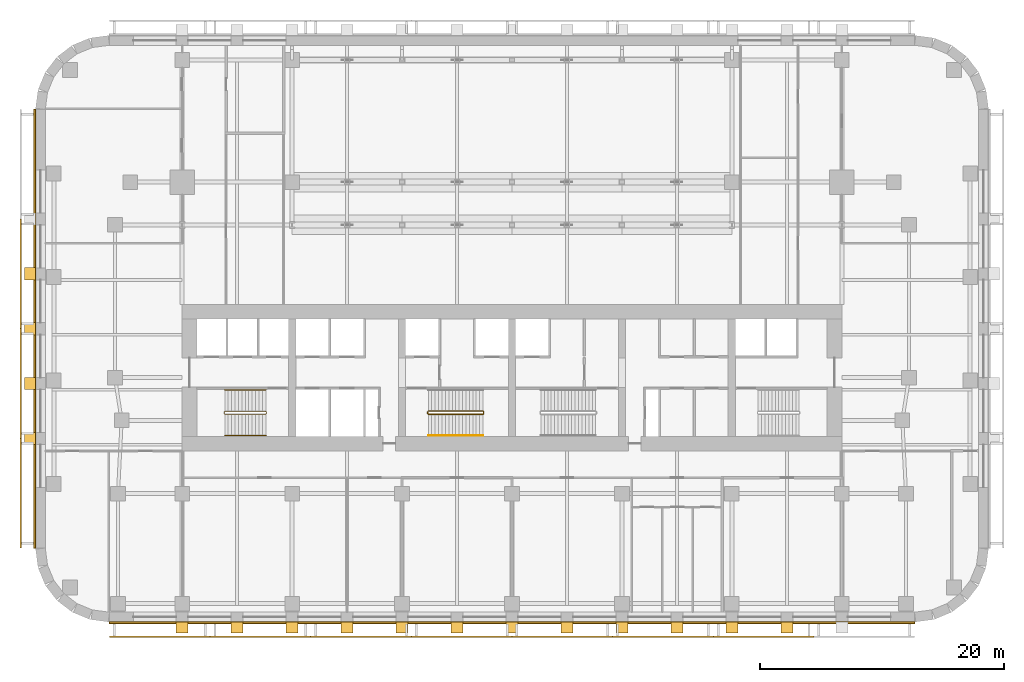
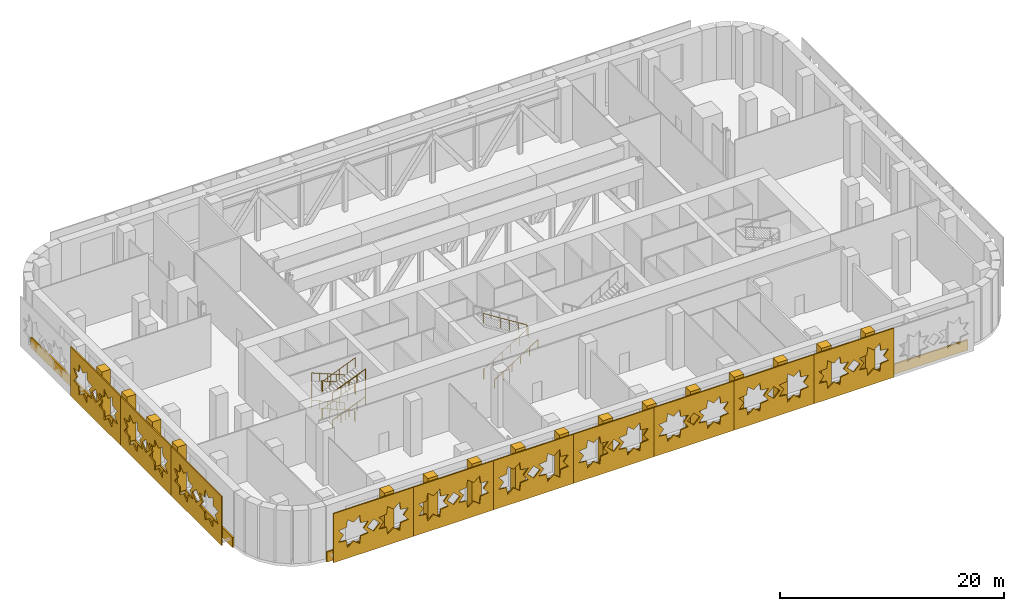
# One storey, part 13 of 15: 28 coverings, 5 railings.
"""IFC4 building model written with IfcOpenShell, lengths in metres."""

from ifc_helpers import new_model, si_unit, direction, frame, origin, origin_2d, place, context, subcontext, project, spatial, polyline, circle, outline, extrude, material, layer, layer_set, type_object, element, save


model = new_model("IFC4")

# Units and contexts
model_context = context("Model", 3, precision=1e-05, world=origin(), true_north=direction((0.0, 1.0)))
body_context = subcontext(model_context, "Body", "Model", "MODEL_VIEW")
ifc_project = project(units=[si_unit("LENGTHUNIT", "METRE"), si_unit("AREAUNIT", "SQUARE_METRE"), si_unit("VOLUMEUNIT", "CUBIC_METRE"), si_unit("PLANEANGLEUNIT", "RADIAN"), si_unit("MASSUNIT", "GRAM", prefix="KILO")], contexts=[model_context])

# Site, building, storey
site_placement = place(None, origin())
site = spatial("IfcSite", under=ifc_project, at=site_placement, CompositionType="ELEMENT")
building_placement = place(site_placement, origin())
building = spatial("IfcBuilding", under=site, at=building_placement, Name="Zellij Exchange Tower", CompositionType="ELEMENT")
storey_placement = place(building_placement, frame((0.0, 0.0, 33.0)))
storey = spatial("IfcBuildingStorey", under=building, at=storey_placement, Name="L05", CompositionType="ELEMENT", Elevation=33.0)

# Railings
ifc_material_1 = material(Name="Stainless steel", Category="steel")
railing_type_1 = type_object("IfcRailingType", Name="CORE-RG stair guard", PredefinedType="GUARDRAIL", material=ifc_material_1)
railing_1_placement = place(storey_placement, frame((-20.10009765625, -10.800048828125, 0.0)))
element("IfcRailing", 1, at=railing_1_placement, inside=storey, type_object=railing_type_1, Name="ST1 stair guard L05", PredefinedType="GUARDRAIL", context=body_context, shape_type="SweptSolid", body=[
    extrude(circle(Radius=0.02392578125, at=origin_2d()), frame((0.0, 0.0, 1.076171875), z_axis=(0.0, -1.0, 0.0), x_axis=(1.0, 0.0, 0.0)), (0.0, 0.0, 1.0), 0.14990234375),
    extrude(circle(Radius=0.02392578125, at=origin_2d()), frame((0.0, -0.14990234375, 1.076171875), z_axis=(-0.210847110147, 0.846489133385, 0.488875897547), x_axis=(-0.970351222016, -0.241699205484, 0.0)), (0.0, 0.0, 1.0), 0.236328125),
    extrude(circle(Radius=0.02392578125, at=origin_2d()), frame((-0.0498046875, 0.050048828125, 1.19140625), z_axis=(-0.924586246868, 0.0, 0.380972797064), x_axis=(0.0, -1.0, 0.0)), (0.0, 0.0, 1.0), 3.63427734375),
    extrude(circle(Radius=0.02392578125, at=origin_2d()), frame((-3.409912109375, 0.050048828125, 2.576171875), z_axis=(-0.707106781187, -0.707106781187, 0.0), x_axis=(0.707106781187, -0.707106781187, 0.0)), (0.0, 0.0, 1.0), 0.07080078125),
    extrude(circle(Radius=0.02392578125, at=origin_2d()), frame((-3.4599609375, 0.0, 2.576171875), z_axis=(0.0, -1.0, 0.0), x_axis=(1.0, 0.0, 0.0)), (0.0, 0.0, 1.0), 0.14990234375),
    extrude(circle(Radius=0.02392578125, at=origin_2d()), frame((-3.4599609375, -0.14990234375, 2.576171875), z_axis=(0.3695169537, -0.3695169537, 0.852592776099), x_axis=(0.707106781187, 0.707106781187, 0.0)), (0.0, 0.0, 1.0), 0.135498046875),
    extrude(circle(Radius=0.02392578125, at=origin_2d()), frame((-3.409912109375, -0.199951171875, 2.69140625), z_axis=(0.924586246868, 0.0, 0.380972797064), x_axis=(0.0, 1.0, 0.0)), (0.0, 0.0, 1.0), 3.63427734375),
    extrude(circle(Radius=0.02392578125, at=origin_2d()), frame((-0.0498046875, -0.199951171875, 4.076171875), z_axis=(0.241699205484, 0.970351222016, 0.0), x_axis=(-0.970351222016, 0.241699205484, 0.0)), (0.0, 0.0, 1.0), 0.2060546875),
    extrude(circle(Radius=0.02392578125, at=origin_2d()), frame((0.0, 0.0, 4.076171875), z_axis=(0.0, -1.0, 0.0), x_axis=(1.0, 0.0, 0.0)), (0.0, 0.0, 1.0), 0.14990234375),
    extrude(circle(Radius=0.02392578125, at=origin_2d()), frame((0.0, -0.14990234375, 4.076171875), z_axis=(-0.210847110147, 0.846489133385, 0.488875897547), x_axis=(-0.970351222016, -0.241699205484, 0.0)), (0.0, 0.0, 1.0), 0.236328125),
    extrude(circle(Radius=0.02392578125, at=origin_2d()), frame((-0.0498046875, 0.050048828125, 4.19140625), z_axis=(-0.924586246868, 0.0, 0.380972797064), x_axis=(0.0, -1.0, 0.0)), (0.0, 0.0, 1.0), 3.63427734375),
    extrude(circle(Radius=0.02392578125, at=origin_2d()), frame((-3.409912109375, 0.050048828125, 5.576171875), z_axis=(-0.707106781187, -0.707106781187, 0.0), x_axis=(0.707106781187, -0.707106781187, 0.0)), (0.0, 0.0, 1.0), 0.07080078125),
    extrude(circle(Radius=0.02392578125, at=origin_2d()), frame((-3.4599609375, 0.0, 5.576171875), z_axis=(0.0, -1.0, 0.0), x_axis=(1.0, 0.0, 0.0)), (0.0, 0.0, 1.0), 0.14990234375),
    extrude(circle(Radius=0.02392578125, at=origin_2d()), frame((-3.4599609375, -0.14990234375, 5.576171875), z_axis=(0.3695169537, -0.3695169537, 0.852592776099), x_axis=(0.707106781187, 0.707106781187, 0.0)), (0.0, 0.0, 1.0), 0.135498046875),
    extrude(circle(Radius=0.02392578125, at=origin_2d()), frame((-3.409912109375, -0.199951171875, 5.69140625), z_axis=(0.924586246868, 0.0, 0.380972797064), x_axis=(0.0, 1.0, 0.0)), (0.0, 0.0, 1.0), 3.63427734375),
    extrude(circle(Radius=0.02099609375, at=origin_2d()), origin(), (0.0, 0.0, 1.0), 1.052001953125),
    extrude(circle(Radius=0.02099609375, at=origin_2d()), frame((0.0, -0.14990234375, 0.0)), (0.0, 0.0, 1.0), 1.052001953125),
    extrude(circle(Radius=0.02099609375, at=origin_2d()), frame((-0.0498046875, 0.050048828125, 0.115478515625)), (0.0, 0.0, 1.0), 1.052001953125),
    extrude(circle(Radius=0.02099609375, at=origin_2d()), frame((-0.889892578125, 0.050048828125, 0.461669921875)), (0.0, 0.0, 1.0), 1.052001953125),
    extrude(circle(Radius=0.02099609375, at=origin_2d()), frame((-1.72998046875, 0.050048828125, 0.8076171875)), (0.0, 0.0, 1.0), 1.052001953125),
    extrude(circle(Radius=0.02099609375, at=origin_2d()), frame((-2.56982421875, 0.050048828125, 1.15380859375)), (0.0, 0.0, 1.0), 1.052001953125),
    extrude(circle(Radius=0.02099609375, at=origin_2d()), frame((-3.409912109375, 0.050048828125, 1.5)), (0.0, 0.0, 1.0), 1.052001953125),
    extrude(circle(Radius=0.02099609375, at=origin_2d()), frame((-3.4599609375, 0.0, 1.5)), (0.0, 0.0, 1.0), 1.052001953125),
    extrude(circle(Radius=0.02099609375, at=origin_2d()), frame((-3.4599609375, -0.14990234375, 1.5)), (0.0, 0.0, 1.0), 1.052001953125),
    extrude(circle(Radius=0.02099609375, at=origin_2d()), frame((-3.409912109375, -0.199951171875, 1.615478515625)), (0.0, 0.0, 1.0), 1.052001953125),
    extrude(circle(Radius=0.02099609375, at=origin_2d()), frame((-2.56982421875, -0.199951171875, 1.961669921875)), (0.0, 0.0, 1.0), 1.052001953125),
    extrude(circle(Radius=0.02099609375, at=origin_2d()), frame((-1.72998046875, -0.199951171875, 2.3076171875)), (0.0, 0.0, 1.0), 1.052001953125),
    extrude(circle(Radius=0.02099609375, at=origin_2d()), frame((-0.889892578125, -0.199951171875, 2.65380859375)), (0.0, 0.0, 1.0), 1.052001953125),
    extrude(circle(Radius=0.02099609375, at=origin_2d()), frame((-0.0498046875, -0.199951171875, 3.0)), (0.0, 0.0, 1.0), 1.052001953125),
    extrude(circle(Radius=0.02099609375, at=origin_2d()), frame((0.0, 0.0, 3.0)), (0.0, 0.0, 1.0), 1.052001953125),
    extrude(circle(Radius=0.02099609375, at=origin_2d()), frame((0.0, -0.14990234375, 3.0)), (0.0, 0.0, 1.0), 1.052001953125),
    extrude(circle(Radius=0.02099609375, at=origin_2d()), frame((-0.0498046875, 0.050048828125, 3.115478515625)), (0.0, 0.0, 1.0), 1.052001953125),
    extrude(circle(Radius=0.02099609375, at=origin_2d()), frame((-0.889892578125, 0.050048828125, 3.461669921875)), (0.0, 0.0, 1.0), 1.052001953125),
    extrude(circle(Radius=0.02099609375, at=origin_2d()), frame((-1.72998046875, 0.050048828125, 3.8076171875)), (0.0, 0.0, 1.0), 1.052001953125),
    extrude(circle(Radius=0.02099609375, at=origin_2d()), frame((-2.56982421875, 0.050048828125, 4.15380859375)), (0.0, 0.0, 1.0), 1.052001953125),
    extrude(circle(Radius=0.02099609375, at=origin_2d()), frame((-3.409912109375, 0.050048828125, 4.5)), (0.0, 0.0, 1.0), 1.052001953125),
    extrude(circle(Radius=0.02099609375, at=origin_2d()), frame((-3.4599609375, 0.0, 4.5)), (0.0, 0.0, 1.0), 1.052001953125),
    extrude(circle(Radius=0.02099609375, at=origin_2d()), frame((-3.4599609375, -0.14990234375, 4.5)), (0.0, 0.0, 1.0), 1.052001953125),
    extrude(circle(Radius=0.02099609375, at=origin_2d()), frame((-3.409912109375, -0.199951171875, 4.615478515625)), (0.0, 0.0, 1.0), 1.052001953125),
    extrude(circle(Radius=0.02099609375, at=origin_2d()), frame((-2.56982421875, -0.199951171875, 4.961669921875)), (0.0, 0.0, 1.0), 1.052001953125),
    extrude(circle(Radius=0.02099609375, at=origin_2d()), frame((-1.72998046875, -0.199951171875, 5.3076171875)), (0.0, 0.0, 1.0), 1.052001953125),
    extrude(circle(Radius=0.02099609375, at=origin_2d()), frame((-0.889892578125, -0.199951171875, 5.65380859375)), (0.0, 0.0, 1.0), 1.052001953125),
    extrude(circle(Radius=0.02099609375, at=origin_2d()), frame((-0.0498046875, -0.199951171875, 6.0)), (0.0, 0.0, 1.0), 1.052001953125),
])
railing_2_placement = place(storey_placement, frame((-6.89990234375, -10.949951171875, 0.0)))
element("IfcRailing", 2, at=railing_2_placement, inside=storey, type_object=railing_type_1, Name="ST2 stair guard L05", PredefinedType="GUARDRAIL", context=body_context, shape_type="SweptSolid", body=[
    extrude(circle(Radius=0.02392578125, at=origin_2d()), frame((0.0, 0.0, 1.076171875), z_axis=(0.0, 1.0, 0.0), x_axis=(-1.0, 0.0, 0.0)), (0.0, 0.0, 1.0), 0.14990234375),
    extrude(circle(Radius=0.02392578125, at=origin_2d()), frame((0.0, 0.14990234375, 1.076171875), z_axis=(0.183560001127, -0.736939416289, 0.650558239288), x_axis=(0.970351222016, 0.241699205484, 0.0)), (0.0, 0.0, 1.0), 0.271240234375),
    extrude(circle(Radius=0.02392578125, at=origin_2d()), frame((0.0498046875, -0.050048828125, 1.25244140625), z_axis=(0.845997938375, 0.0, 0.533186166611), x_axis=(0.0, 1.0, 0.0)), (0.0, 0.0, 1.0), 5.29541015625),
    extrude(circle(Radius=0.02392578125, at=origin_2d()), frame((4.52978515625, -0.050048828125, 4.076171875), z_axis=(0.707106781187, 0.707106781187, 0.0), x_axis=(-0.707106781187, 0.707106781187, 0.0)), (0.0, 0.0, 1.0), 0.07080078125),
    extrude(circle(Radius=0.02392578125, at=origin_2d()), frame((4.579833984375, 0.0, 4.076171875), z_axis=(0.0, 1.0, 0.0), x_axis=(-1.0, 0.0, 0.0)), (0.0, 0.0, 1.0), 0.14990234375),
    extrude(circle(Radius=0.02392578125, at=origin_2d()), frame((4.579833984375, 0.14990234375, 4.076171875), z_axis=(-0.263171338983, 0.263171338983, 0.928160380902), x_axis=(-0.707106781187, -0.707106781187, 0.0)), (0.0, 0.0, 1.0), 0.190185546875),
    extrude(circle(Radius=0.02392578125, at=origin_2d()), frame((4.52978515625, 0.199951171875, 4.25244140625), z_axis=(-0.845997938375, 0.0, 0.533186166611), x_axis=(0.0, -1.0, 0.0)), (0.0, 0.0, 1.0), 5.29541015625),
    extrude(circle(Radius=0.02099609375, at=origin_2d()), origin(), (0.0, 0.0, 1.0), 1.052001953125),
    extrude(circle(Radius=0.02099609375, at=origin_2d()), frame((0.0, 0.14990234375, 0.0)), (0.0, 0.0, 1.0), 1.052001953125),
    extrude(circle(Radius=0.02099609375, at=origin_2d()), frame((0.0498046875, -0.050048828125, 0.176513671875)), (0.0, 0.0, 1.0), 1.052001953125),
    extrude(circle(Radius=0.02099609375, at=origin_2d()), frame((0.94580078125, -0.050048828125, 0.7412109375)), (0.0, 0.0, 1.0), 1.052001953125),
    extrude(circle(Radius=0.02099609375, at=origin_2d()), frame((1.841796875, -0.050048828125, 1.305908203125)), (0.0, 0.0, 1.0), 1.052001953125),
    extrude(circle(Radius=0.02099609375, at=origin_2d()), frame((2.73779296875, -0.050048828125, 1.87060546875)), (0.0, 0.0, 1.0), 1.052001953125),
    extrude(circle(Radius=0.02099609375, at=origin_2d()), frame((3.6337890625, -0.050048828125, 2.435302734375)), (0.0, 0.0, 1.0), 1.052001953125),
    extrude(circle(Radius=0.02099609375, at=origin_2d()), frame((4.52978515625, -0.050048828125, 3.0)), (0.0, 0.0, 1.0), 1.052001953125),
    extrude(circle(Radius=0.02099609375, at=origin_2d()), frame((4.579833984375, 0.0, 3.0)), (0.0, 0.0, 1.0), 1.052001953125),
    extrude(circle(Radius=0.02099609375, at=origin_2d()), frame((4.579833984375, 0.14990234375, 3.0)), (0.0, 0.0, 1.0), 1.052001953125),
    extrude(circle(Radius=0.02099609375, at=origin_2d()), frame((4.52978515625, 0.199951171875, 3.176513671875)), (0.0, 0.0, 1.0), 1.052001953125),
    extrude(circle(Radius=0.02099609375, at=origin_2d()), frame((3.6337890625, 0.199951171875, 3.7412109375)), (0.0, 0.0, 1.0), 1.052001953125),
    extrude(circle(Radius=0.02099609375, at=origin_2d()), frame((2.73779296875, 0.199951171875, 4.305908203125)), (0.0, 0.0, 1.0), 1.052001953125),
    extrude(circle(Radius=0.02099609375, at=origin_2d()), frame((1.841796875, 0.199951171875, 4.87060546875)), (0.0, 0.0, 1.0), 1.052001953125),
    extrude(circle(Radius=0.02099609375, at=origin_2d()), frame((0.94580078125, 0.199951171875, 5.435302734375)), (0.0, 0.0, 1.0), 1.052001953125),
    extrude(circle(Radius=0.02099609375, at=origin_2d()), frame((0.0498046875, 0.199951171875, 6.0)), (0.0, 0.0, 1.0), 1.052001953125),
])
railing_type_2 = type_object("IfcRailingType", Name="CORE-RH stair handrail", PredefinedType="HANDRAIL", material=ifc_material_1)
railing_3_placement = place(storey_placement, frame((-20.14990234375, -9.0, 0.115478515625)))
element("IfcRailing", 3, at=railing_3_placement, inside=storey, type_object=railing_type_2, Name="ST1 stair handrail L05", PredefinedType="HANDRAIL", context=body_context, shape_type="SweptSolid", body=[
    extrude(circle(Radius=0.02392578125, at=origin_2d()), frame((0.0, 0.0, 0.8759765625), z_axis=(-0.924586246868, 0.0, 0.380972797064), x_axis=(0.0, -1.0, 0.0)), (0.0, 0.0, 1.0), 3.63427734375),
    extrude(circle(Radius=0.02392578125, at=origin_2d()), frame((-3.360107421875, 0.0, 2.26025390625), z_axis=(0.0, 0.0, 1.0), x_axis=(1.0, 0.0, 0.0)), (0.0, 0.0, 1.0), 3.0),
    extrude(circle(Radius=0.02392578125, at=origin_2d()), frame((-3.360107421875, 0.0, 5.26025390625), z_axis=(0.924586246868, 0.0, -0.380972797064), x_axis=(0.0, 1.0, 0.0)), (0.0, 0.0, 1.0), 3.63427734375),
    extrude(circle(Radius=0.02099609375, at=origin_2d()), origin(), (0.0, 0.0, 1.0), 0.851806640625),
    extrude(circle(Radius=0.02099609375, at=origin_2d()), frame((-0.840087890625, 0.0, 0.34619140625)), (0.0, 0.0, 1.0), 0.851806640625),
    extrude(circle(Radius=0.02099609375, at=origin_2d()), frame((-1.68017578125, 0.0, 0.6923828125)), (0.0, 0.0, 1.0), 0.851806640625),
    extrude(circle(Radius=0.02099609375, at=origin_2d()), frame((-2.52001953125, 0.0, 1.038330078125)), (0.0, 0.0, 1.0), 0.851806640625),
    extrude(circle(Radius=0.02099609375, at=origin_2d()), frame((-3.360107421875, 0.0, 1.384521484375)), (0.0, 0.0, 1.0), 0.851806640625),
    extrude(circle(Radius=0.02099609375, at=origin_2d()), frame((-3.360107421875, 0.0, 2.384521484375)), (0.0, 0.0, 1.0), 0.851806640625),
    extrude(circle(Radius=0.02099609375, at=origin_2d()), frame((-3.360107421875, 0.0, 3.384521484375)), (0.0, 0.0, 1.0), 0.851806640625),
    extrude(circle(Radius=0.02099609375, at=origin_2d()), frame((-3.360107421875, 0.0, 4.384521484375)), (0.0, 0.0, 1.0), 0.851806640625),
    extrude(circle(Radius=0.02099609375, at=origin_2d()), frame((-2.52001953125, 0.0, 4.038330078125)), (0.0, 0.0, 1.0), 0.851806640625),
    extrude(circle(Radius=0.02099609375, at=origin_2d()), frame((-1.68017578125, 0.0, 3.6923828125)), (0.0, 0.0, 1.0), 0.851806640625),
    extrude(circle(Radius=0.02099609375, at=origin_2d()), frame((-0.840087890625, 0.0, 3.34619140625)), (0.0, 0.0, 1.0), 0.851806640625),
    extrude(circle(Radius=0.02099609375, at=origin_2d()), frame((0.0, 0.0, 3.0)), (0.0, 0.0, 1.0), 0.851806640625),
])
railing_4_placement = place(storey_placement, frame((-23.510009765625, -12.75, 1.615478515625)))
element("IfcRailing", 4, at=railing_4_placement, inside=storey, type_object=railing_type_2, Name="ST1 stair handrail L05", PredefinedType="HANDRAIL", context=body_context, shape_type="SweptSolid", body=[
    extrude(circle(Radius=0.02392578125, at=origin_2d()), frame((0.0, 0.0, 0.8759765625), z_axis=(0.924586246868, 0.0, 0.380972797064), x_axis=(0.0, 1.0, 0.0)), (0.0, 0.0, 1.0), 3.63427734375),
    extrude(circle(Radius=0.02392578125, at=origin_2d()), frame((3.360107421875, 0.0, 2.26025390625), z_axis=(0.0, 0.0, 1.0), x_axis=(1.0, 0.0, 0.0)), (0.0, 0.0, 1.0), 3.0),
    extrude(circle(Radius=0.02392578125, at=origin_2d()), frame((3.360107421875, 0.0, 5.26025390625), z_axis=(-0.924586246868, 0.0, -0.380972797064), x_axis=(0.0, -1.0, 0.0)), (0.0, 0.0, 1.0), 3.63427734375),
    extrude(circle(Radius=0.02099609375, at=origin_2d()), origin(), (0.0, 0.0, 1.0), 0.851806640625),
    extrude(circle(Radius=0.02099609375, at=origin_2d()), frame((0.840087890625, 0.0, 0.34619140625)), (0.0, 0.0, 1.0), 0.851806640625),
    extrude(circle(Radius=0.02099609375, at=origin_2d()), frame((1.68017578125, 0.0, 0.6923828125)), (0.0, 0.0, 1.0), 0.851806640625),
    extrude(circle(Radius=0.02099609375, at=origin_2d()), frame((2.52001953125, 0.0, 1.038330078125)), (0.0, 0.0, 1.0), 0.851806640625),
    extrude(circle(Radius=0.02099609375, at=origin_2d()), frame((3.360107421875, 0.0, 1.384521484375)), (0.0, 0.0, 1.0), 0.851806640625),
    extrude(circle(Radius=0.02099609375, at=origin_2d()), frame((3.360107421875, 0.0, 2.384521484375)), (0.0, 0.0, 1.0), 0.851806640625),
    extrude(circle(Radius=0.02099609375, at=origin_2d()), frame((3.360107421875, 0.0, 3.384521484375)), (0.0, 0.0, 1.0), 0.851806640625),
    extrude(circle(Radius=0.02099609375, at=origin_2d()), frame((3.360107421875, 0.0, 4.384521484375)), (0.0, 0.0, 1.0), 0.851806640625),
    extrude(circle(Radius=0.02099609375, at=origin_2d()), frame((2.52001953125, 0.0, 4.038330078125)), (0.0, 0.0, 1.0), 0.851806640625),
    extrude(circle(Radius=0.02099609375, at=origin_2d()), frame((1.68017578125, 0.0, 3.6923828125)), (0.0, 0.0, 1.0), 0.851806640625),
    extrude(circle(Radius=0.02099609375, at=origin_2d()), frame((0.840087890625, 0.0, 3.34619140625)), (0.0, 0.0, 1.0), 0.851806640625),
    extrude(circle(Radius=0.02099609375, at=origin_2d()), frame((0.0, 0.0, 3.0)), (0.0, 0.0, 1.0), 0.851806640625),
])
railing_5_placement = place(storey_placement, frame((-6.85009765625, -12.75, 0.176513671875)))
element("IfcRailing", 5, at=railing_5_placement, inside=storey, type_object=railing_type_2, Name="ST2 stair handrail L05", PredefinedType="HANDRAIL", context=body_context, shape_type="SweptSolid", body=[
    extrude(circle(Radius=0.02392578125, at=origin_2d()), frame((0.0, 0.0, 0.8759765625), z_axis=(0.845997938375, 0.0, 0.533186166611), x_axis=(0.0, 1.0, 0.0)), (0.0, 0.0, 1.0), 5.29541015625),
    extrude(circle(Radius=0.02099609375, at=origin_2d()), origin(), (0.0, 0.0, 1.0), 0.851806640625),
    extrude(circle(Radius=0.02099609375, at=origin_2d()), frame((0.89599609375, 0.0, 0.564697265625)), (0.0, 0.0, 1.0), 0.851806640625),
    extrude(circle(Radius=0.02099609375, at=origin_2d()), frame((1.7919921875, 0.0, 1.12939453125)), (0.0, 0.0, 1.0), 0.851806640625),
    extrude(circle(Radius=0.02099609375, at=origin_2d()), frame((2.68798828125, 0.0, 1.694091796875)), (0.0, 0.0, 1.0), 0.851806640625),
    extrude(circle(Radius=0.02099609375, at=origin_2d()), frame((3.583984375, 0.0, 2.2587890625)), (0.0, 0.0, 1.0), 0.851806640625),
    extrude(circle(Radius=0.02099609375, at=origin_2d()), frame((4.47998046875, 0.0, 2.823486328125)), (0.0, 0.0, 1.0), 0.851806640625),
])

# Coverings
ifc_material_2 = material(Name="Limestone cladding", Category="masonry")
ifc_layer_1 = layer(ifc_material_2, 0.14990234375)
ifc_layer_set_1 = layer_set([ifc_layer_1], Name="Limestone cladding")
covering_type_1 = type_object("IfcCoveringType", Name="ENV-CV1 Stone spandrel band 150", PredefinedType="CLADDING", material=ifc_layer_set_1)
covering_1_placement = place(storey_placement, frame((0.0, 0.0, -0.300048828125)))
element("IfcCovering", 6, at=covering_1_placement, inside=storey, type_object=covering_type_1, Name="Stone spandrel band", PredefinedType="CLADDING", context=body_context, shape_type="SweptSolid", body=[
    extrude(outline(polyline([(-32.973876953125, -28.0), (32.973876953125, -28.0), (32.983642578125, -28.14990234375), (-32.983642578125, -28.14990234375), (-32.973876953125, -28.0)])), origin(), (0.0, 0.0, 1.0), 1.10009765625),
])
covering_2_placement = place(storey_placement, frame((0.0, 0.0, -0.300048828125)))
element("IfcCovering", 7, at=covering_2_placement, inside=storey, type_object=covering_type_1, Name="Stone spandrel band", PredefinedType="CLADDING", context=body_context, shape_type="SweptSolid", body=[
    extrude(outline(polyline([(-39.0, 13.973876953125), (-39.0, -21.973876953125), (-39.14990234375, -21.983642578125), (-39.14990234375, 13.983642578125), (-39.0, 13.973876953125)])), origin(), (0.0, 0.0, 1.0), 1.10009765625),
])
covering_type_2 = type_object("IfcCoveringType", Name="ENV-CV2 Stone pier 1000x900", PredefinedType="CLADDING", material=ifc_material_2)
covering_3_placement = place(storey_placement, frame((0.0, 0.0, 0.800048828125)))
element("IfcCovering", 8, at=covering_3_placement, inside=storey, type_object=covering_type_2, Name="Stone pier", PredefinedType="CLADDING", context=body_context, shape_type="SweptSolid", body=[
    extrude(outline(polyline([(-27.5, -28.0), (-26.5, -28.0), (-26.5, -28.89990234375), (-27.5, -28.89990234375), (-27.5, -28.0)])), origin(), (0.0, 0.0, 1.0), 4.949951171875),
])
covering_4_placement = place(storey_placement, frame((0.0, 0.0, 0.800048828125)))
element("IfcCovering", 9, at=covering_4_placement, inside=storey, type_object=covering_type_2, Name="Stone pier", PredefinedType="CLADDING", context=body_context, shape_type="SweptSolid", body=[
    extrude(outline(polyline([(-23.0, -28.0), (-22.0, -28.0), (-22.0, -28.89990234375), (-23.0, -28.89990234375), (-23.0, -28.0)])), origin(), (0.0, 0.0, 1.0), 4.949951171875),
])
covering_5_placement = place(storey_placement, frame((0.0, 0.0, 0.800048828125)))
element("IfcCovering", 10, at=covering_5_placement, inside=storey, type_object=covering_type_2, Name="Stone pier", PredefinedType="CLADDING", context=body_context, shape_type="SweptSolid", body=[
    extrude(outline(polyline([(-18.5, -28.0), (-17.5, -28.0), (-17.5, -28.89990234375), (-18.5, -28.89990234375), (-18.5, -28.0)])), origin(), (0.0, 0.0, 1.0), 4.949951171875),
])
covering_6_placement = place(storey_placement, frame((0.0, 0.0, 0.800048828125)))
element("IfcCovering", 11, at=covering_6_placement, inside=storey, type_object=covering_type_2, Name="Stone pier", PredefinedType="CLADDING", context=body_context, shape_type="SweptSolid", body=[
    extrude(outline(polyline([(-14.0, -28.0), (-13.0, -28.0), (-13.0, -28.89990234375), (-14.0, -28.89990234375), (-14.0, -28.0)])), origin(), (0.0, 0.0, 1.0), 4.949951171875),
])
covering_7_placement = place(storey_placement, frame((0.0, 0.0, 0.800048828125)))
element("IfcCovering", 12, at=covering_7_placement, inside=storey, type_object=covering_type_2, Name="Stone pier", PredefinedType="CLADDING", context=body_context, shape_type="SweptSolid", body=[
    extrude(outline(polyline([(-9.5, -28.0), (-8.5, -28.0), (-8.5, -28.89990234375), (-9.5, -28.89990234375), (-9.5, -28.0)])), origin(), (0.0, 0.0, 1.0), 4.949951171875),
])
covering_8_placement = place(storey_placement, frame((0.0, 0.0, 0.800048828125)))
element("IfcCovering", 13, at=covering_8_placement, inside=storey, type_object=covering_type_2, Name="Stone pier", PredefinedType="CLADDING", context=body_context, shape_type="SweptSolid", body=[
    extrude(outline(polyline([(-5.0, -28.0), (-4.0, -28.0), (-4.0, -28.89990234375), (-5.0, -28.89990234375), (-5.0, -28.0)])), origin(), (0.0, 0.0, 1.0), 4.949951171875),
])
covering_9_placement = place(storey_placement, frame((0.0, 0.0, 0.800048828125)))
element("IfcCovering", 14, at=covering_9_placement, inside=storey, type_object=covering_type_2, Name="Stone pier", PredefinedType="CLADDING", context=body_context, shape_type="SweptSolid", body=[
    extrude(outline(polyline([(-0.5, -28.0), (0.5, -28.0), (0.5, -28.89990234375), (-0.5, -28.89990234375), (-0.5, -28.0)])), origin(), (0.0, 0.0, 1.0), 4.949951171875),
])
covering_10_placement = place(storey_placement, frame((0.0, 0.0, 0.800048828125)))
element("IfcCovering", 15, at=covering_10_placement, inside=storey, type_object=covering_type_2, Name="Stone pier", PredefinedType="CLADDING", context=body_context, shape_type="SweptSolid", body=[
    extrude(outline(polyline([(4.0, -28.0), (5.0, -28.0), (5.0, -28.89990234375), (4.0, -28.89990234375), (4.0, -28.0)])), origin(), (0.0, 0.0, 1.0), 4.949951171875),
])
covering_11_placement = place(storey_placement, frame((0.0, 0.0, 0.800048828125)))
element("IfcCovering", 16, at=covering_11_placement, inside=storey, type_object=covering_type_2, Name="Stone pier", PredefinedType="CLADDING", context=body_context, shape_type="SweptSolid", body=[
    extrude(outline(polyline([(8.5, -28.0), (9.5, -28.0), (9.5, -28.89990234375), (8.5, -28.89990234375), (8.5, -28.0)])), origin(), (0.0, 0.0, 1.0), 4.949951171875),
])
covering_12_placement = place(storey_placement, frame((0.0, 0.0, 0.800048828125)))
element("IfcCovering", 17, at=covering_12_placement, inside=storey, type_object=covering_type_2, Name="Stone pier", PredefinedType="CLADDING", context=body_context, shape_type="SweptSolid", body=[
    extrude(outline(polyline([(13.0, -28.0), (14.0, -28.0), (14.0, -28.89990234375), (13.0, -28.89990234375), (13.0, -28.0)])), origin(), (0.0, 0.0, 1.0), 4.949951171875),
])
covering_13_placement = place(storey_placement, frame((0.0, 0.0, 0.800048828125)))
element("IfcCovering", 18, at=covering_13_placement, inside=storey, type_object=covering_type_2, Name="Stone pier", PredefinedType="CLADDING", context=body_context, shape_type="SweptSolid", body=[
    extrude(outline(polyline([(17.5, -28.0), (18.5, -28.0), (18.5, -28.89990234375), (17.5, -28.89990234375), (17.5, -28.0)])), origin(), (0.0, 0.0, 1.0), 4.949951171875),
])
covering_14_placement = place(storey_placement, frame((0.0, 0.0, 0.800048828125)))
element("IfcCovering", 19, at=covering_14_placement, inside=storey, type_object=covering_type_2, Name="Stone pier", PredefinedType="CLADDING", context=body_context, shape_type="SweptSolid", body=[
    extrude(outline(polyline([(22.0, -28.0), (23.0, -28.0), (23.0, -28.89990234375), (22.0, -28.89990234375), (22.0, -28.0)])), origin(), (0.0, 0.0, 1.0), 4.949951171875),
])
covering_15_placement = place(storey_placement, frame((0.0, 0.0, 0.800048828125)))
element("IfcCovering", 20, at=covering_15_placement, inside=storey, type_object=covering_type_2, Name="Stone pier", PredefinedType="CLADDING", context=body_context, shape_type="SweptSolid", body=[
    extrude(outline(polyline([(-39.0, 0.993408203125), (-39.0, -0.006591796875), (-39.89990234375, -0.006591796875), (-39.89990234375, 0.993408203125), (-39.0, 0.993408203125)])), origin(), (0.0, 0.0, 1.0), 4.949951171875),
])
covering_16_placement = place(storey_placement, frame((0.0, 0.0, 0.800048828125)))
element("IfcCovering", 21, at=covering_16_placement, inside=storey, type_object=covering_type_2, Name="Stone pier", PredefinedType="CLADDING", context=body_context, shape_type="SweptSolid", body=[
    extrude(outline(polyline([(-39.0, -3.5), (-39.0, -4.5), (-39.89990234375, -4.5), (-39.89990234375, -3.5), (-39.0, -3.5)])), origin(), (0.0, 0.0, 1.0), 4.949951171875),
])
covering_17_placement = place(storey_placement, frame((0.0, 0.0, 0.800048828125)))
element("IfcCovering", 22, at=covering_17_placement, inside=storey, type_object=covering_type_2, Name="Stone pier", PredefinedType="CLADDING", context=body_context, shape_type="SweptSolid", body=[
    extrude(outline(polyline([(-39.0, -7.993408203125), (-39.0, -8.993408203125), (-39.89990234375, -8.993408203125), (-39.89990234375, -7.993408203125), (-39.0, -7.993408203125)])), origin(), (0.0, 0.0, 1.0), 4.949951171875),
])
covering_18_placement = place(storey_placement, frame((0.0, 0.0, 0.800048828125)))
element("IfcCovering", 23, at=covering_18_placement, inside=storey, type_object=covering_type_2, Name="Stone pier", PredefinedType="CLADDING", context=body_context, shape_type="SweptSolid", body=[
    extrude(outline(polyline([(-39.0, -12.48681640625), (-39.0, -13.48681640625), (-39.89990234375, -13.48681640625), (-39.89990234375, -12.48681640625), (-39.0, -12.48681640625)])), origin(), (0.0, 0.0, 1.0), 4.949951171875),
])
ifc_material_3 = material(Name="Limestone screen", Category="masonry")
ifc_layer_2 = layer(ifc_material_3, 0.1201171875)
ifc_layer_set_2 = layer_set([ifc_layer_2], Name="Limestone screen")
covering_type_3 = type_object("IfcCoveringType", Name="ENV-SC1 Pierced stone screen 120", PredefinedType="USERDEFINED", material=ifc_layer_set_2)
for number, where, z_axis, x_axis, name in (
    (24, (-40.2099609375, 4.973876953125, 0.300048828125), (0.0, 0.0, 1.0), (0.0, -1.0, 0.0), "Pierced stone screen"),
    (25, (-40.2099609375, -4.0, 0.300048828125), (0.0, 0.0, 1.0), (0.0, -1.0, 0.0), "Pierced stone screen"),
    (26, (-40.2099609375, -12.973876953125, 0.300048828125), (0.0, 0.0, 1.0), (0.0, -1.0, 0.0), "Pierced stone screen"),
):
    element("IfcCovering", number, at=place(storey_placement, frame(where, z_axis=z_axis, x_axis=x_axis)), inside=storey, type_object=covering_type_3, Name=name, ObjectType="SCREEN", PredefinedType="USERDEFINED", context=body_context, shape_type="SweptSolid", body=[
        extrude(outline(polyline([(0.0, 0.0), (8.973876953125, 0.0), (8.973876953125, 5.35009765625), (0.0, 5.35009765625), (0.0, 0.0)]), holes=[polyline([(3.901611328125, 3.36181640625), (3.0302734375, 3.4619140625), (2.930419921875, 4.3330078125), (2.243408203125, 3.787841796875), (1.556640625, 4.3330078125), (1.45654296875, 3.4619140625), (0.585205078125, 3.36181640625), (1.130615234375, 2.675048828125), (0.585205078125, 1.98828125), (1.45654296875, 1.88818359375), (1.556640625, 1.016845703125), (2.243408203125, 1.562255859375), (2.930419921875, 1.016845703125), (3.0302734375, 1.88818359375), (3.901611328125, 1.98828125), (3.356201171875, 2.675048828125), (3.901611328125, 3.36181640625)]), polyline([(8.388427734375, 3.36181640625), (7.51708984375, 3.4619140625), (7.417236328125, 4.3330078125), (6.730224609375, 3.787841796875), (6.04345703125, 4.3330078125), (5.943603515625, 3.4619140625), (5.072265625, 3.36181640625), (5.61767578125, 2.675048828125), (5.072265625, 1.98828125), (5.943603515625, 1.88818359375), (6.04345703125, 1.016845703125), (6.730224609375, 1.562255859375), (7.417236328125, 1.016845703125), (7.51708984375, 1.88818359375), (8.388427734375, 1.98828125), (7.843017578125, 2.675048828125), (8.388427734375, 3.36181640625)]), polyline([(5.204833984375, 2.675048828125), (4.48681640625, 3.392822265625), (3.76904296875, 2.675048828125), (4.48681640625, 1.95703125), (5.204833984375, 2.675048828125)])]), frame((0.0, 0.06005859375, 0.0), z_axis=(0.0, -1.0, 0.0), x_axis=(1.0, 0.0, 0.0)), (0.0, 0.0, 1.0), 0.1201171875),
    ])
for number, where, z_axis, x_axis, name in (
    (27, (-32.947509765625, -29.2099609375, 0.300048828125), (0.0, 0.0, 1.0), (1.0, 0.0, 0.0), "Pierced stone screen"),
    (28, (-24.710693359375, -29.2099609375, 0.300048828125), (0.0, 0.0, 1.0), (1.0, 0.0, 0.0), "Pierced stone screen"),
    (29, (-16.473876953125, -29.2099609375, 0.300048828125), (0.0, 0.0, 1.0), (1.0, 0.0, 0.0), "Pierced stone screen"),
    (30, (-8.23681640625, -29.2099609375, 0.300048828125), (0.0, 0.0, 1.0), (1.0, 0.0, 0.0), "Pierced stone screen"),
    (31, (0.0, -29.2099609375, 0.300048828125), (0.0, 0.0, 1.0), (1.0, 0.0, 0.0), "Pierced stone screen"),
    (32, (8.23681640625, -29.2099609375, 0.300048828125), (0.0, 0.0, 1.0), (1.0, 0.0, 0.0), "Pierced stone screen"),
    (33, (16.473876953125, -29.2099609375, 0.300048828125), (0.0, 0.0, 1.0), (1.0, 0.0, 0.0), "Pierced stone screen"),
):
    element("IfcCovering", number, at=place(storey_placement, frame(where, z_axis=z_axis, x_axis=x_axis)), inside=storey, type_object=covering_type_3, Name=name, ObjectType="SCREEN", PredefinedType="USERDEFINED", context=body_context, shape_type="SweptSolid", body=[
        extrude(outline(polyline([(0.0, 0.0), (8.23681640625, 0.0), (8.23681640625, 5.35009765625), (0.0, 5.35009765625), (0.0, 0.0)]), holes=[polyline([(3.581298828125, 3.305419921875), (2.781494140625, 3.397216796875), (2.689697265625, 4.197021484375), (2.05908203125, 3.6962890625), (1.4287109375, 4.197021484375), (1.3369140625, 3.397216796875), (0.537109375, 3.305419921875), (1.037841796875, 2.675048828125), (0.537109375, 2.044677734375), (1.3369140625, 1.952880859375), (1.4287109375, 1.153076171875), (2.05908203125, 1.653564453125), (2.689697265625, 1.153076171875), (2.781494140625, 1.952880859375), (3.581298828125, 2.044677734375), (3.08056640625, 2.675048828125), (3.581298828125, 3.305419921875)]), polyline([(7.69970703125, 3.305419921875), (6.89990234375, 3.397216796875), (6.80810546875, 4.197021484375), (6.177734375, 3.6962890625), (5.547119140625, 4.197021484375), (5.45556640625, 3.397216796875), (4.65576171875, 3.305419921875), (5.15625, 2.675048828125), (4.65576171875, 2.044677734375), (5.45556640625, 1.952880859375), (5.547119140625, 1.153076171875), (6.177734375, 1.653564453125), (6.80810546875, 1.153076171875), (6.89990234375, 1.952880859375), (7.69970703125, 2.044677734375), (7.198974609375, 2.675048828125), (7.69970703125, 3.305419921875)]), polyline([(4.77734375, 2.675048828125), (4.118408203125, 3.333984375), (3.45947265625, 2.675048828125), (4.118408203125, 2.01611328125), (4.77734375, 2.675048828125)])]), frame((0.0, 0.06005859375, 0.0), z_axis=(0.0, -1.0, 0.0), x_axis=(1.0, 0.0, 0.0)), (0.0, 0.0, 1.0), 0.1201171875),
    ])

save(model, "model.ifc")
